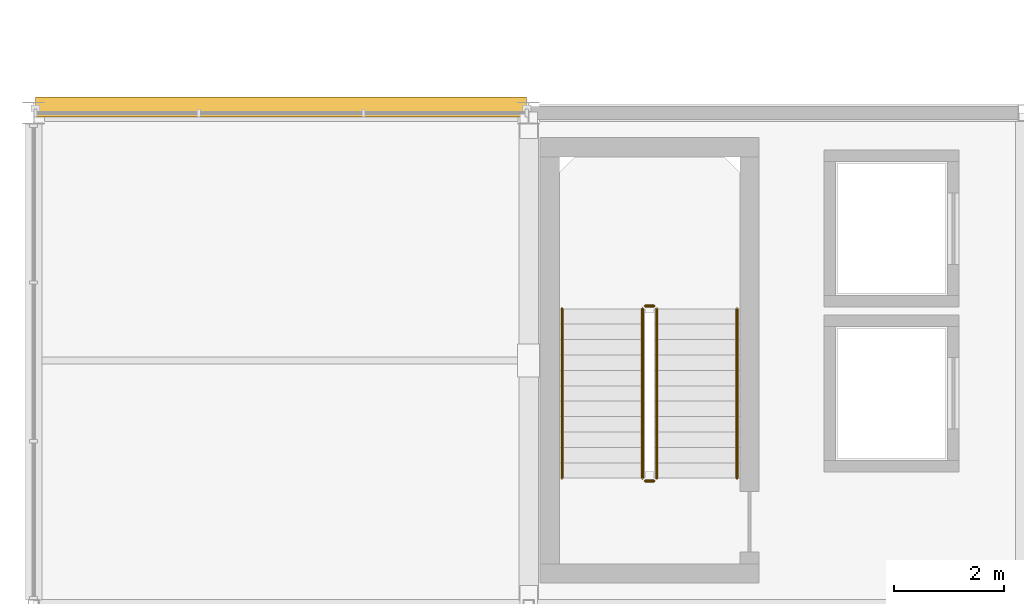
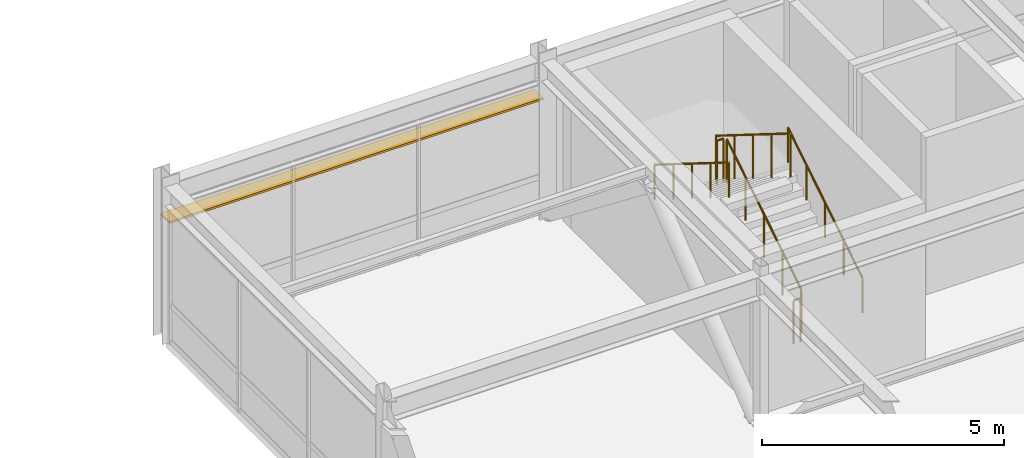
# One storey, part 91 of 105: 6 railings, 1 shading device.
"""IFC4 building model written with IfcOpenShell, lengths in metres."""

from ifc_helpers import new_model, si_unit, direction, frame, origin, origin_2d, place, context, subcontext, project, spatial, rectangle, circle, extrude, material, material_profile, profile_set, type_object, element, save


model = new_model("IFC4")

# Units and contexts
model_context = context("Model", 3, precision=1e-05, world=origin(), true_north=direction((0.0, 1.0)))
body_context = subcontext(model_context, "Body", "Model", "MODEL_VIEW")
ifc_project = project(units=[si_unit("LENGTHUNIT", "METRE"), si_unit("AREAUNIT", "SQUARE_METRE"), si_unit("VOLUMEUNIT", "CUBIC_METRE"), si_unit("PLANEANGLEUNIT", "RADIAN"), si_unit("MASSUNIT", "GRAM", prefix="KILO")], contexts=[model_context])

# Site, building, storey
site_placement = place(None, origin())
site = spatial("IfcSite", under=ifc_project, at=site_placement, CompositionType="ELEMENT")
building_placement = place(site_placement, origin())
building = spatial("IfcBuilding", under=site, at=building_placement, Name="Suzunagisa Mobility Hub", CompositionType="ELEMENT")
storey_placement = place(building_placement, frame((0.0, 0.0, 5.10009765625)))
storey = spatial("IfcBuildingStorey", under=building, at=storey_placement, Name="L01", CompositionType="ELEMENT", Elevation=5.10009765625)

# Railings
ifc_material_1 = material(Name="Stainless Steel SUS304", Category="metal")
railing_type_1 = type_object("IfcRailingType", Name="Interior Well Guardrail IGR-01", PredefinedType="GUARDRAIL", material=ifc_material_1)
railing_1_placement = place(storey_placement, frame((11.330078125, 55.360107421875, 0.1748046875)))
element("IfcRailing", 1, at=railing_1_placement, inside=storey, type_object=railing_type_1, Name="L01 ST-01 stair guard 1", PredefinedType="GUARDRAIL", context=body_context, shape_type="SweptSolid", body=[
    extrude(circle(Radius=0.02392578125, at=origin_2d()), frame((0.0, 0.0, 1.09619140625), z_axis=(0.0, 0.847979421464, 0.530029150871), x_axis=(-1.0, 0.0, 0.0)), (0.0, 0.0, 1.0), 3.632080078125),
    extrude(circle(Radius=0.02099609375, at=origin_2d()), origin(), (0.0, 0.0, 1.0), 1.072021484375),
    extrude(circle(Radius=0.02099609375, at=origin_2d()), frame((0.0, 0.77001953125, 0.481201171875)), (0.0, 0.0, 1.0), 1.072021484375),
    extrude(circle(Radius=0.02099609375, at=origin_2d()), frame((0.0, 1.5400390625, 0.96240234375)), (0.0, 0.0, 1.0), 1.072021484375),
    extrude(circle(Radius=0.02099609375, at=origin_2d()), frame((0.0, 2.309814453125, 1.44384765625)), (0.0, 0.0, 1.0), 1.072021484375),
    extrude(circle(Radius=0.02099609375, at=origin_2d()), frame((0.0, 3.079833984375, 1.925048828125)), (0.0, 0.0, 1.0), 1.072021484375),
])
railing_2_placement = place(storey_placement, frame((11.280029296875, 58.489990234375, 2.099853515625)))
element("IfcRailing", 2, at=railing_2_placement, inside=storey, type_object=railing_type_1, Name="L01 ST-01 stair guard 2", PredefinedType="GUARDRAIL", context=body_context, shape_type="SweptSolid", body=[
    extrude(circle(Radius=0.02392578125, at=origin_2d()), frame((0.0, 0.0, 1.09619140625), z_axis=(-1.0, 0.0, 0.0), x_axis=(0.0, -1.0, 0.0)), (0.0, 0.0, 1.0), 0.159912109375),
    extrude(circle(Radius=0.02099609375, at=origin_2d()), origin(), (0.0, 0.0, 1.0), 1.072021484375),
    extrude(circle(Radius=0.02099609375, at=origin_2d()), frame((-0.159912109375, 0.0, 0.0)), (0.0, 0.0, 1.0), 1.072021484375),
])
railing_3_placement = place(storey_placement, frame((11.070068359375, 58.43994140625, 2.27490234375)))
element("IfcRailing", 3, at=railing_3_placement, inside=storey, type_object=railing_type_1, Name="L01 ST-01 stair guard 3", PredefinedType="GUARDRAIL", context=body_context, shape_type="SweptSolid", body=[
    extrude(circle(Radius=0.02392578125, at=origin_2d()), frame((0.0, 0.0, 1.09619140625), z_axis=(0.0, -0.847979421464, 0.530029150871), x_axis=(1.0, 0.0, 0.0)), (0.0, 0.0, 1.0), 3.632080078125),
    extrude(circle(Radius=0.02099609375, at=origin_2d()), origin(), (0.0, 0.0, 1.0), 1.072021484375),
    extrude(circle(Radius=0.02099609375, at=origin_2d()), frame((0.0, -0.77001953125, 0.481201171875)), (0.0, 0.0, 1.0), 1.072021484375),
    extrude(circle(Radius=0.02099609375, at=origin_2d()), frame((0.0, -1.5400390625, 0.96240234375)), (0.0, 0.0, 1.0), 1.072021484375),
    extrude(circle(Radius=0.02099609375, at=origin_2d()), frame((0.0, -2.309814453125, 1.44384765625)), (0.0, 0.0, 1.0), 1.072021484375),
    extrude(circle(Radius=0.02099609375, at=origin_2d()), frame((0.0, -3.079833984375, 1.925048828125)), (0.0, 0.0, 1.0), 1.072021484375),
])
railing_4_placement = place(storey_placement, frame((11.280029296875, 55.31005859375, 0.0)))
element("IfcRailing", 4, at=railing_4_placement, inside=storey, type_object=railing_type_1, Name="L01 ST-01 stair guard 4", PredefinedType="GUARDRAIL", context=body_context, shape_type="SweptSolid", body=[
    extrude(circle(Radius=0.02392578125, at=origin_2d()), frame((0.0, 0.0, 1.09619140625), z_axis=(-1.0, 0.0, 0.0), x_axis=(0.0, -1.0, 0.0)), (0.0, 0.0, 1.0), 0.159912109375),
    extrude(circle(Radius=0.02099609375, at=origin_2d()), origin(), (0.0, 0.0, 1.0), 1.072021484375),
    extrude(circle(Radius=0.02099609375, at=origin_2d()), frame((-0.159912109375, 0.0, 0.0)), (0.0, 0.0, 1.0), 1.072021484375),
])

# Shading device
ifc_material_2 = material(Name="Fluoropolymer-Coated Extruded Aluminum 6063-T5", Category="aluminium")
ifc_material_profile = material_profile(ifc_material_2, rectangle(XDim=0.360107421875, YDim=0.050048828125, at=origin_2d()), Name="FIN-360x50")
ifc_profile_set = profile_set([ifc_material_profile], Name="Fluoropolymer-Coated Extruded Aluminum 6063-T5")
shading_device_type = type_object("IfcShadingDeviceType", Name="Streamline Aluminum Sunshade SF-04 FIN-360x50", PredefinedType="USERDEFINED", material=ifc_profile_set)
shading_device_placement = place(storey_placement, frame((8.965576171875, 62.110107421875, 2.921875), z_axis=(-1.0, 0.0, 0.0), x_axis=(0.0, -1.0, 0.0)))
element("IfcShadingDevice", 5, at=shading_device_placement, inside=storey, type_object=shading_device_type, Name="L01 Streamline Speed-Rail Sunshade Fin SF-4", ObjectType="SUNSHADE FIN", PredefinedType="USERDEFINED", context=body_context, shape_type="SweptSolid", body=[
    extrude(rectangle(XDim=0.360107421875, YDim=0.050048828125, at=origin_2d()), origin(), (0.0, 0.0, 1.0), 8.93115234375),
])

# Railings
railing_type_2 = type_object("IfcRailingType", Name="Tubular Stainless Stair Handrail IHR-01", PredefinedType="HANDRAIL", material=ifc_material_1)
railing_5_placement = place(storey_placement, frame((12.7900390625, 55.360107421875, 0.1748046875)))
element("IfcRailing", 6, at=railing_5_placement, inside=storey, type_object=railing_type_2, Name="L01 ST-01 stair handrail 1", PredefinedType="HANDRAIL", context=body_context, shape_type="SweptSolid", body=[
    extrude(circle(Radius=0.02392578125, at=origin_2d()), frame((0.0, 0.0, 0.8759765625), z_axis=(0.0, 0.847979421464, 0.530029150871), x_axis=(-1.0, 0.0, 0.0)), (0.0, 0.0, 1.0), 3.632080078125),
    extrude(circle(Radius=0.02099609375, at=origin_2d()), origin(), (0.0, 0.0, 1.0), 0.851806640625),
    extrude(circle(Radius=0.02099609375, at=origin_2d()), frame((0.0, 0.77001953125, 0.481201171875)), (0.0, 0.0, 1.0), 0.851806640625),
    extrude(circle(Radius=0.02099609375, at=origin_2d()), frame((0.0, 1.5400390625, 0.96240234375)), (0.0, 0.0, 1.0), 0.851806640625),
    extrude(circle(Radius=0.02099609375, at=origin_2d()), frame((0.0, 2.309814453125, 1.44384765625)), (0.0, 0.0, 1.0), 0.851806640625),
    extrude(circle(Radius=0.02099609375, at=origin_2d()), frame((0.0, 3.079833984375, 1.925048828125)), (0.0, 0.0, 1.0), 0.851806640625),
])
railing_6_placement = place(storey_placement, frame((9.610107421875, 58.43994140625, 2.27490234375)))
element("IfcRailing", 7, at=railing_6_placement, inside=storey, type_object=railing_type_2, Name="L01 ST-01 stair handrail 2", PredefinedType="HANDRAIL", context=body_context, shape_type="SweptSolid", body=[
    extrude(circle(Radius=0.02392578125, at=origin_2d()), frame((0.0, 0.0, 0.8759765625), z_axis=(0.0, -0.847979421464, 0.530029150871), x_axis=(1.0, 0.0, 0.0)), (0.0, 0.0, 1.0), 3.632080078125),
    extrude(circle(Radius=0.02099609375, at=origin_2d()), origin(), (0.0, 0.0, 1.0), 0.851806640625),
    extrude(circle(Radius=0.02099609375, at=origin_2d()), frame((0.0, -0.77001953125, 0.481201171875)), (0.0, 0.0, 1.0), 0.851806640625),
    extrude(circle(Radius=0.02099609375, at=origin_2d()), frame((0.0, -1.5400390625, 0.96240234375)), (0.0, 0.0, 1.0), 0.851806640625),
    extrude(circle(Radius=0.02099609375, at=origin_2d()), frame((0.0, -2.309814453125, 1.44384765625)), (0.0, 0.0, 1.0), 0.851806640625),
    extrude(circle(Radius=0.02099609375, at=origin_2d()), frame((0.0, -3.079833984375, 1.925048828125)), (0.0, 0.0, 1.0), 0.851806640625),
])

save(model, "model.ifc")
